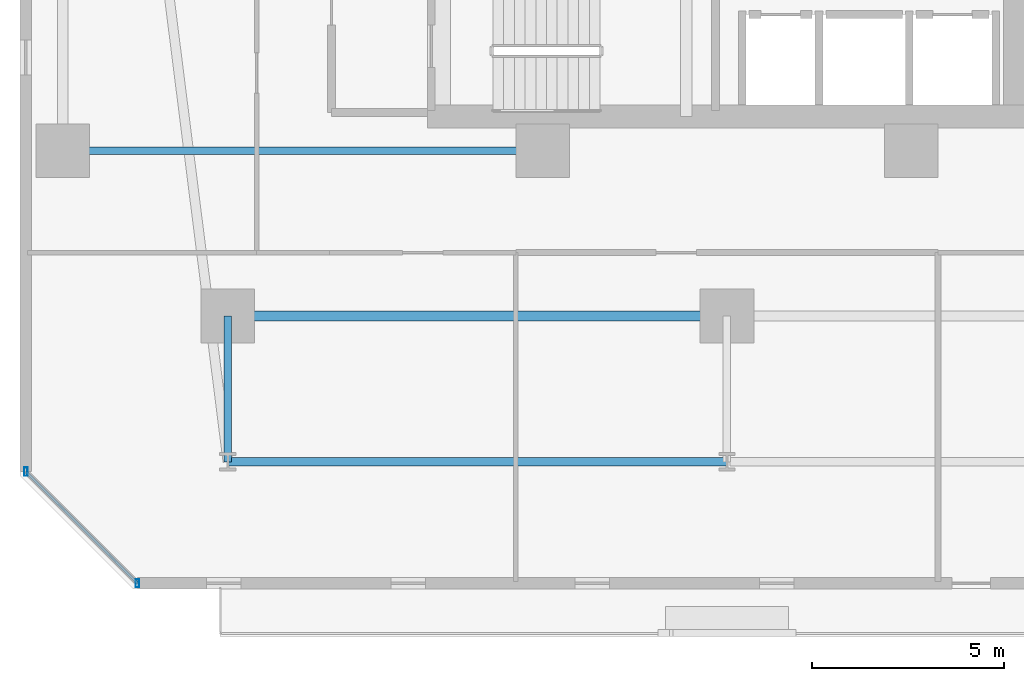
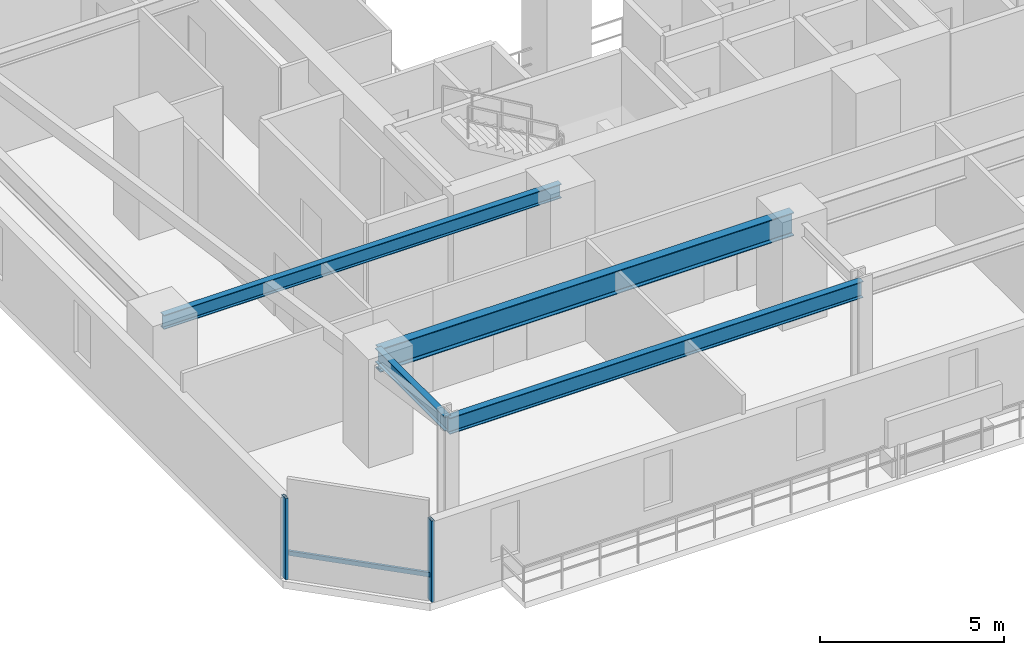
# One storey, part 3 of 35: 4 beams, 3 members, 1 element without a shape of its own.
"""IFC4 building model written with IfcOpenShell, lengths in metres."""

from ifc_helpers import new_model, si_unit, direction, frame, origin, origin_2d, place, context, subcontext, project, spatial, hollow_rectangle, i_section, extrude, material, material_profile, profile_set, type_object, element, aggregate, save


model = new_model("IFC4")

# Units and contexts
model_context = context("Model", 3, precision=1e-05, world=origin(), true_north=direction((0.0, 1.0)))
body_context = subcontext(model_context, "Body", "Model", "MODEL_VIEW")
ifc_project = project(units=[si_unit("LENGTHUNIT", "METRE"), si_unit("AREAUNIT", "SQUARE_METRE"), si_unit("VOLUMEUNIT", "CUBIC_METRE"), si_unit("PLANEANGLEUNIT", "RADIAN"), si_unit("MASSUNIT", "GRAM", prefix="KILO")], contexts=[model_context])

# Site, building, storey
site_placement = place(None, origin())
site = spatial("IfcSite", under=ifc_project, at=site_placement, CompositionType="ELEMENT")
building_placement = place(site_placement, origin())
building = spatial("IfcBuilding", under=site, at=building_placement, Name="Thornwick Lancets Civic Towers", CompositionType="ELEMENT")
storey_placement = place(building_placement, frame((0.0, 0.0, 64.5)))
storey = spatial("IfcBuildingStorey", under=building, at=storey_placement, Name="L16", CompositionType="ELEMENT", Elevation=64.5)

# Beams
ifc_material_1 = material(Name="Steel S355JR", Category="steel")
ifc_material_profile_1 = material_profile(ifc_material_1, i_section(OverallWidth=0.2119140625, OverallDepth=0.54443359375, WebThickness=0.0126953125, FlangeThickness=0.021240234375, FilletRadius=0.0126953125, at=origin_2d()), Name="UKB 533x210x122")
ifc_profile_set_1 = profile_set([ifc_material_profile_1], Name="Steel S355JR")
beam_type_1 = type_object("IfcBeamType", Name="BM_EDGE_533_122", PredefinedType="SPANDREL", material=ifc_profile_set_1)
beam_1_placement = place(storey_placement, frame((12.5, 5.89990234375, 3.087646484375), z_axis=(1.0, 0.0, 0.0), x_axis=(0.0, 1.0, 0.0)))
element("IfcBeam", 1, at=beam_1_placement, inside=storey, type_object=beam_type_1, Name="BM-EDGE-L16-A-S0-1", PredefinedType="SPANDREL", context=body_context, shape_type="SweptSolid", body=[
    extrude(i_section(OverallWidth=0.2119140625, OverallDepth=0.54443359375, WebThickness=0.0126953125, FlangeThickness=0.021240234375, FilletRadius=0.0126953125, at=origin_2d()), origin(), (0.0, 0.0, 1.0), 13.0),
])
ifc_material_profile_2 = material_profile(ifc_material_1, i_section(OverallWidth=0.26806640625, OverallDepth=0.769775390625, WebThickness=0.015625, FlangeThickness=0.025390625, FilletRadius=0.0166015625, at=origin_2d()), Name="UKB 762x267x197")
ifc_profile_set_2 = profile_set([ifc_material_profile_2], Name="Steel S355JR")
beam_type_2 = type_object("IfcBeamType", Name="BM_GIRD_762_197", PredefinedType="BEAM", material=ifc_profile_set_2)
beam_2_placement = place(storey_placement, frame((12.5, 9.699951171875, 2.97509765625), z_axis=(1.0, 0.0, 0.0), x_axis=(0.0, 1.0, 0.0)))
element("IfcBeam", 2, at=beam_2_placement, inside=storey, type_object=beam_type_2, Name="BM-SPINE-L16-A-0-1", PredefinedType="BEAM", context=body_context, shape_type="SweptSolid", body=[
    extrude(i_section(OverallWidth=0.26806640625, OverallDepth=0.769775390625, WebThickness=0.015625, FlangeThickness=0.025390625, FilletRadius=0.0166015625, at=origin_2d()), origin(), (0.0, 0.0, 1.0), 13.0),
])
ifc_material_profile_3 = material_profile(ifc_material_1, i_section(OverallWidth=0.19287109375, OverallDepth=0.46728515625, WebThickness=0.011474609375, FlangeThickness=0.01953125, FilletRadius=0.01025390625, at=origin_2d()), Name="UKB 457x191x98")
ifc_profile_set_3 = profile_set([ifc_material_profile_3], Name="Steel S355JR")
beam_type_3 = type_object("IfcBeamType", Name="BM_JOIST_457_98", PredefinedType="JOIST", material=ifc_profile_set_3)
beam_3_placement = place(storey_placement, frame((12.5, 9.699951171875, 3.12646484375), z_axis=(0.0, -1.0, 0.0), x_axis=(1.0, 0.0, 0.0)))
element("IfcBeam", 3, at=beam_3_placement, inside=storey, type_object=beam_type_3, Name="BM-RAD-L16-A01", PredefinedType="JOIST", context=body_context, shape_type="SweptSolid", body=[
    extrude(i_section(OverallWidth=0.19287109375, OverallDepth=0.46728515625, WebThickness=0.011474609375, FlangeThickness=0.01953125, FilletRadius=0.01025390625, at=origin_2d()), origin(), (0.0, 0.0, 1.0), 3.800048828125),
])
beam_4_placement = place(storey_placement, frame((20.699951171875, 14.0, 3.12646484375), z_axis=(-1.0, 0.0, 0.0), x_axis=(0.0, -1.0, 0.0)))
element("IfcBeam", 4, at=beam_4_placement, inside=storey, type_object=beam_type_3, Name="BM-RADIN-L16-A10", PredefinedType="JOIST", context=body_context, shape_type="SweptSolid", body=[
    extrude(i_section(OverallWidth=0.19287109375, OverallDepth=0.46728515625, WebThickness=0.011474609375, FlangeThickness=0.01953125, FilletRadius=0.01025390625, at=origin_2d()), origin(), (0.0, 0.0, 1.0), 12.5),
])

# Curtain wall, members
ifc_material_2 = material(Name="Low-zone chamfered-corner unitised glass curtain wall", Category="glass")
curtain_wall_type = type_object("IfcCurtainWallType", Name="CW_SYS_03", PredefinedType="NOTDEFINED", material=ifc_material_2)
curtain_wall_placement = place(storey_placement, origin())
curtain_wall = element("IfcCurtainWall", 5, at=curtain_wall_placement, inside=storey, type_object=curtain_wall_type, Name="L16 Curtain Wall CW-L16-A-E7", PredefinedType="NOTDEFINED")
ifc_material_3 = material(Name="Thermally broken bronze aluminium S355", Category="steel")
ifc_material_profile_4 = material_profile(ifc_material_3, hollow_rectangle(XDim=0.090087890625, YDim=0.219970703125, WallThickness=0.00634765625, at=origin_2d()), Name="RHS 220x90x6.3")
ifc_profile_set_4 = profile_set([ifc_material_profile_4], Name="Thermally broken bronze aluminium S355")
member_type_1 = type_object("IfcMemberType", Name="CW_MUL_220", PredefinedType="MULLION", material=ifc_profile_set_4)
member_1_placement = place(storey_placement, frame((7.236328125, 5.64453125, 0.0), z_axis=(0.0, 0.0, 1.0), x_axis=(1.0, 0.0, 0.0)))
member_1 = element("IfcMember", 6, at=member_1_placement, type_object=member_type_1, Name="CW-L16-A-E7 Mullion 0", PredefinedType="MULLION", context=body_context, shape_type="SweptSolid", body=[
    extrude(hollow_rectangle(XDim=0.090087890625, YDim=0.219970703125, WallThickness=0.00634765625, at=origin_2d()), origin(), (0.0, 0.0, 1.0), 2.699951171875),
])
member_2_placement = place(storey_placement, frame((10.14453125, 2.736328125, 0.0), z_axis=(0.0, 0.0, 1.0), x_axis=(1.0, 0.0, 0.0)))
member_2 = element("IfcMember", 7, at=member_2_placement, type_object=member_type_1, Name="CW-L16-A-E7 Mullion 1", PredefinedType="MULLION", context=body_context, shape_type="SweptSolid", body=[
    extrude(hollow_rectangle(XDim=0.090087890625, YDim=0.219970703125, WallThickness=0.00634765625, at=origin_2d()), origin(), (0.0, 0.0, 1.0), 2.699951171875),
])
ifc_material_profile_5 = material_profile(ifc_material_3, hollow_rectangle(XDim=0.074951171875, YDim=0.14990234375, WallThickness=0.0048828125, at=origin_2d()), Name="RHS 150x75x5")
ifc_profile_set_5 = profile_set([ifc_material_profile_5], Name="Thermally broken bronze aluminium S355")
member_type_2 = type_object("IfcMemberType", Name="CW_TRN_150", PredefinedType="USERDEFINED", material=ifc_profile_set_5)
member_3_placement = place(storey_placement, frame((7.25048828125, 5.630615234375, 0.85009765625), z_axis=(0.707106781187, -0.707106781187, 0.0), x_axis=(0.707106781187, 0.707106781187, 0.0)))
member_3 = element("IfcMember", 8, at=member_3_placement, type_object=member_type_2, Name="CW-L16-A-E7 Transom 0", ObjectType="TRANSOM", PredefinedType="USERDEFINED", context=body_context, shape_type="SweptSolid", body=[
    extrude(hollow_rectangle(XDim=0.074951171875, YDim=0.14990234375, WallThickness=0.0048828125, at=origin_2d()), origin(), (0.0, 0.0, 1.0), 4.072998046875),
])
aggregate(curtain_wall, [member_1, member_2, member_3])

save(model, "model.ifc")
